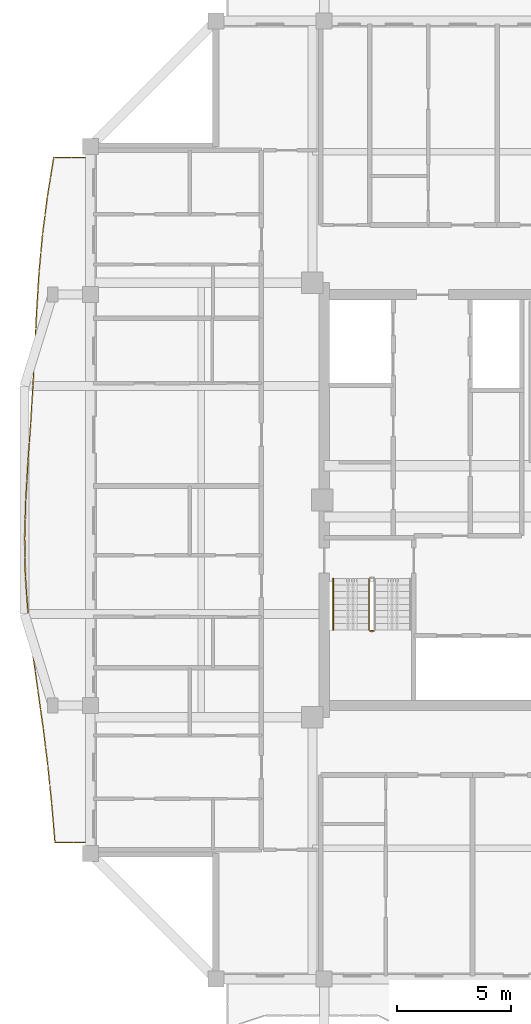
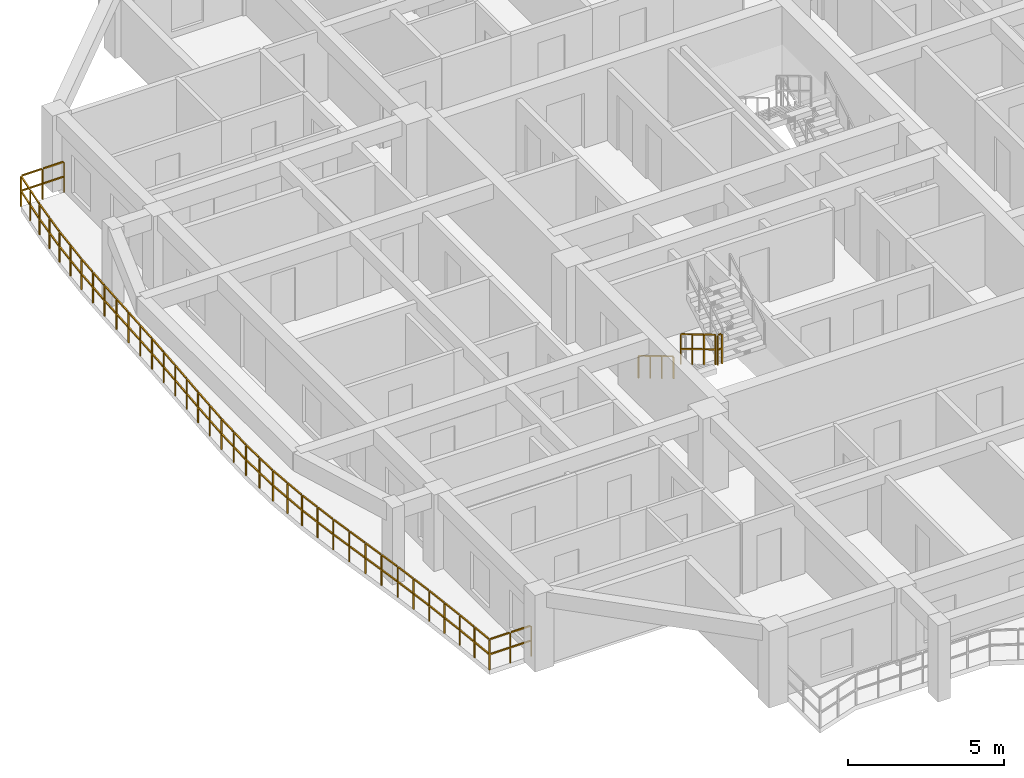
# One storey, part 11 of 14: 4 railings.
"""IFC4 building model written with IfcOpenShell, lengths in metres."""

import ifcopenshell
import ifcopenshell.guid

model = None  # the IFC model being written
_history = None  # IfcOwnerHistory: only IFC2X3 demands one
_inside = {}  # id of a spatial element -> (the spatial element, [elements in it])
_under = {}  # id of a project, library or spatial element -> (it, [spatial elements below it])
_declared = {}  # id of a project -> (the project, [libraries it declares])
_typed = {}  # id of a type object -> (the type object, [elements of that type])
_made_of = {}  # id of a material, layer set ... -> (it, [elements and type objects made of it])


def new_model(schema):
    """Start an empty IFC model of exactly this schema.

    Asked for "IFC4X3", IfcOpenShell would pick the latest addendum, in which some entities
    have other attributes; the version numbers below select the first issue.
    IFC2X3 requires an IfcOwnerHistory on every rooted entity: one is made here for all.
    """
    global model, _history
    if schema == "IFC4X3":
        model = ifcopenshell.file(schema_version=(4, 3, 0, 0))
    else:
        model = ifcopenshell.file(schema=schema)
    _inside.clear()
    _under.clear()
    _declared.clear()
    _typed.clear()
    _made_of.clear()
    _history = None
    if model.schema == "IFC2X3":
        org = make("IfcOrganization", Name="unknown")
        user = make(
            "IfcPersonAndOrganization",
            ThePerson=make("IfcPerson", FamilyName="unknown"),
            TheOrganization=org,
        )
        app = make(
            "IfcApplication",
            ApplicationDeveloper=org,
            Version="unknown",
            ApplicationFullName="unknown",
            ApplicationIdentifier="unknown",
        )
        _history = make(
            "IfcOwnerHistory",
            OwningUser=user,
            OwningApplication=app,
            ChangeAction="ADDED",
            CreationDate=0,
        )
    return model


def make(cls, **values):
    """One entity of the class cls with the attributes given. An attribute that is None is left unset."""
    return model.create_entity(
        cls, **{name: value for name, value in values.items() if value is not None}
    )


def rooted(cls, **values):
    """An entity with a GlobalId (a new one), such as an element, a storey or a relation."""
    return make(cls, GlobalId=ifcopenshell.guid.new(), OwnerHistory=_history, **values)


def si_unit(unit_type, name, prefix=None):
    """IfcSIUnit, for example si_unit("LENGTHUNIT", "METRE", prefix="MILLI")."""
    return make("IfcSIUnit", UnitType=unit_type, Prefix=prefix, Name=name)


def assignment(units):
    """IfcUnitAssignment: the units of a project."""
    return None if units is None else make("IfcUnitAssignment", Units=units)


def point(xyz):
    """IfcCartesianPoint."""
    return None if xyz is None else make("IfcCartesianPoint", Coordinates=xyz)


def direction(xyz):
    """IfcDirection."""
    return None if xyz is None else make("IfcDirection", DirectionRatios=xyz)


def frame(location, z_axis=None, x_axis=None):
    """IfcAxis2Placement3D, a coordinate frame: its origin and axes. An axis left out is left unset."""
    return make(
        "IfcAxis2Placement3D",
        Location=point(location),
        Axis=direction(z_axis),
        RefDirection=direction(x_axis),
    )


def frame_2d(location, x_axis=None):
    """IfcAxis2Placement2D, a coordinate frame in the plane: its origin and x axis."""
    return make(
        "IfcAxis2Placement2D", Location=point(location), RefDirection=direction(x_axis)
    )


def origin():
    """The frame at (0, 0, 0) with its axes left unset."""
    return frame((0.0, 0.0, 0.0))


def origin_2d():
    """The frame at (0, 0) in the plane with its x axis left unset."""
    return frame_2d((0.0, 0.0))


def place(relative_to, where):
    """IfcLocalPlacement: puts the frame where relative to a parent placement (None: the world)."""
    return make(
        "IfcLocalPlacement", PlacementRelTo=relative_to, RelativePlacement=where
    )


def context(
    kind, dimensions, precision=None, world=None, true_north=None, identifier=None
):
    """IfcGeometricRepresentationContext, for example the 3D "Model" context."""
    return make(
        "IfcGeometricRepresentationContext",
        ContextIdentifier=identifier,
        ContextType=kind,
        CoordinateSpaceDimension=dimensions,
        Precision=precision,
        WorldCoordinateSystem=world,
        TrueNorth=true_north,
    )


def subcontext(parent, identifier, kind, view, scale=None):
    """IfcGeometricRepresentationSubContext, for example "Body" below "Model"."""
    return make(
        "IfcGeometricRepresentationSubContext",
        ContextIdentifier=identifier,
        ContextType=kind,
        ParentContext=parent,
        TargetScale=scale,
        TargetView=view,
    )


def project(units=None, contexts=None):
    """IfcProject with its units and contexts."""
    return rooted(
        "IfcProject",
        Name="project",
        RepresentationContexts=contexts,
        UnitsInContext=assignment(units),
    )


def spatial(cls, under=None, at=None, **own):
    """A site, building, storey or space (cls), placed at a placement, below another one or the project."""
    s = rooted(cls, ObjectPlacement=at, **own)
    if under is not None:
        _under.setdefault(under.id(), (under, []))[1].append(s)
    return s


def profile(cls, at=None, kind="AREA", **sizes):
    """A parametric profile (cls). Its sizes go by their IFC names, for example OverallWidth=200.0."""
    return make(cls, ProfileType=kind, Position=at, **sizes)


def rectangle(**sizes):
    """IfcRectangleProfileDef."""
    return profile("IfcRectangleProfileDef", **sizes)


def extrude(swept, where, along, depth):
    """IfcExtrudedAreaSolid: the profile swept, set in the frame where, extruded along a direction by depth."""
    return make(
        "IfcExtrudedAreaSolid",
        SweptArea=swept,
        Position=where,
        ExtrudedDirection=direction(along),
        Depth=depth,
    )


def shape(context_of_items, identifier, shape_type, items):
    """IfcShapeRepresentation: the items that make up one representation, for example the "Body"."""
    return make(
        "IfcShapeRepresentation",
        ContextOfItems=context_of_items,
        RepresentationIdentifier=identifier,
        RepresentationType=shape_type,
        Items=items,
    )


def material(Name=None, Category=None):
    """IfcMaterial."""
    return make("IfcMaterial", Name=Name, Category=Category)


def made_of(thing, what):
    """Note that an element or type object is made of a material, layer set ...; save() writes the relation."""
    if what is not None:
        _made_of.setdefault(what.id(), (what, []))[1].append(thing)
    return thing


def type_object(cls, material=None, **own):
    """A type object (cls), such as IfcWallType, which elements share."""
    return made_of(rooted(cls, **own), material)


def element(
    cls,
    number,
    at=None,
    inside=None,
    cuts=None,
    type_object=None,
    material=None,
    context=None,
    identifier="Body",
    shape_type=None,
    held_by="IfcProductDefinitionShape",
    body=None,
    shapes=None,
    **own,
):
    """One element of the class cls, such as IfcWall. Its Tag is "e" and its number.

    at: its placement. inside: the storey or other place that contains it. cuts: it is an
    opening in that element (IfcRelVoidsElement). A single representation is given by context,
    identifier, shape_type and body (its items); several are given by shapes. held_by: the class
    of the entity that holds the representations. save() writes the other relations.
    """
    e = rooted(cls, Tag="e%d" % number, ObjectPlacement=at, **own)
    if body is not None:
        shapes = [shape(context, identifier, shape_type, body)]
    if shapes is not None:
        e.Representation = make(held_by, Representations=shapes)
    if inside is not None:
        _inside.setdefault(inside.id(), (inside, []))[1].append(e)
    if cuts is not None:
        rooted(
            "IfcRelVoidsElement", RelatingBuildingElement=cuts, RelatedOpeningElement=e
        )
    if type_object is not None:
        _typed.setdefault(type_object.id(), (type_object, []))[1].append(e)
    return made_of(e, material)


def aggregate(whole, parts):
    """IfcRelAggregates: a whole, such as a stair, and the parts it consists of."""
    return rooted("IfcRelAggregates", RelatingObject=whole, RelatedObjects=parts)


def save(model, path):
    """Write the relations noted so far, then the file.

    IfcRelAggregates (storeys below a building ...), IfcRelContainedInSpatialStructure (elements
    in a storey), IfcRelDefinesByType, IfcRelAssociatesMaterial and IfcRelDeclares: one each for
    every whole, place, type object, material and project.
    """
    for whole, parts in _under.values():
        aggregate(whole, parts)
    for where, things in _inside.values():
        rooted(
            "IfcRelContainedInSpatialStructure",
            RelatedElements=things,
            RelatingStructure=where,
        )
    for kind, things in _typed.values():
        rooted("IfcRelDefinesByType", RelatedObjects=things, RelatingType=kind)
    for what, things in _made_of.values():
        rooted("IfcRelAssociatesMaterial", RelatedObjects=things, RelatingMaterial=what)
    for by, libraries in _declared.values():
        rooted("IfcRelDeclares", RelatingContext=by, RelatedDefinitions=libraries)
    model.write(path)


model = new_model("IFC4")

# Units and contexts
model_context = context("Model", 3, precision=1e-05, world=origin(), true_north=direction((0.0, 1.0)))
body_context = subcontext(model_context, "Body", "Model", "MODEL_VIEW")
ifc_project = project(units=[si_unit("LENGTHUNIT", "METRE"), si_unit("AREAUNIT", "SQUARE_METRE"), si_unit("VOLUMEUNIT", "CUBIC_METRE"), si_unit("PLANEANGLEUNIT", "RADIAN"), si_unit("MASSUNIT", "GRAM", prefix="KILO")], contexts=[model_context])

# Site, building, storey
site_placement = place(None, origin())
site = spatial("IfcSite", under=ifc_project, at=site_placement, CompositionType="ELEMENT")
building_placement = place(site_placement, origin())
building = spatial("IfcBuilding", under=site, at=building_placement, Name="Saelheon Loggia Tower", CompositionType="ELEMENT")
storey_placement = place(building_placement, frame((0.0, 0.0, 233.10009765625)))
storey = spatial("IfcBuildingStorey", under=building, at=storey_placement, Name="L72", CompositionType="ELEMENT", Elevation=233.10009765625)

# Railings
ifc_material_1 = material(Name="Architectural Precast Concrete and Laminated Glass Guard", Category="concrete")
railing_type_1 = type_object("IfcRailingType", Name="Guard_Loggia_RL_LOG", PredefinedType="BALUSTRADE", material=ifc_material_1)
railing_1_placement = place(storey_placement, frame((21.25, 42.0, 0.0)))
element("IfcRailing", 1, at=railing_1_placement, inside=storey, type_object=railing_type_1, Name="L72 West Loggia Balustrade", PredefinedType="BALUSTRADE", context=body_context, shape_type="SweptSolid", body=[
    extrude(rectangle(XDim=0.048095703125, YDim=0.048095703125, at=origin_2d()), frame((-0.033203125, 0.0, 1.19580078125), z_axis=(-1.0, 0.0, 0.0), x_axis=(0.0, -1.0, 0.0)), (0.0, 0.0, 1.0), 0.736328125),
    extrude(rectangle(XDim=0.048095703125, YDim=0.048095703125, at=origin_2d()), frame((-0.033203125, 0.0, 0.60986328125), z_axis=(-1.0, 0.0, 0.0), x_axis=(0.0, -1.0, 0.0)), (0.0, 0.0, 1.0), 0.736328125),
    extrude(rectangle(XDim=0.048095703125, YDim=0.048095703125, at=origin_2d()), frame((-0.836181640625, 0.0, 1.19580078125), z_axis=(-1.0, 0.0, 0.0), x_axis=(0.0, -1.0, 0.0)), (0.0, 0.0, 1.0), 0.736328125),
    extrude(rectangle(XDim=0.048095703125, YDim=0.048095703125, at=origin_2d()), frame((-0.836181640625, 0.0, 0.60986328125), z_axis=(-1.0, 0.0, 0.0), x_axis=(0.0, -1.0, 0.0)), (0.0, 0.0, 1.0), 0.736328125),
    extrude(rectangle(XDim=0.048095703125, YDim=0.048095703125, at=origin_2d()), frame((-1.611083984375, -0.03271484375, 1.19580078125), z_axis=(-0.160482344979, -0.987038710968, 0.0), x_axis=(0.987038710968, -0.160482344979, 0.0)), (0.0, 0.0, 1.0), 0.77783203125),
    extrude(rectangle(XDim=0.048095703125, YDim=0.048095703125, at=origin_2d()), frame((-1.611083984375, -0.03271484375, 0.60986328125), z_axis=(-0.160482344979, -0.987038710968, 0.0), x_axis=(0.987038710968, -0.160482344979, 0.0)), (0.0, 0.0, 1.0), 0.77783203125),
    extrude(rectangle(XDim=0.048095703125, YDim=0.048095703125, at=origin_2d()), frame((-1.74658203125, -0.8662109375, 1.19580078125), z_axis=(-0.160482344979, -0.987038710968, 0.0), x_axis=(0.987038710968, -0.160482344979, 0.0)), (0.0, 0.0, 1.0), 0.77783203125),
    extrude(rectangle(XDim=0.048095703125, YDim=0.048095703125, at=origin_2d()), frame((-1.74658203125, -0.8662109375, 0.60986328125), z_axis=(-0.160482344979, -0.987038710968, 0.0), x_axis=(0.987038710968, -0.160482344979, 0.0)), (0.0, 0.0, 1.0), 0.77783203125),
    extrude(rectangle(XDim=0.048095703125, YDim=0.048095703125, at=origin_2d()), frame((-1.881103515625, -1.69970703125, 1.19580078125), z_axis=(-0.129003803074, -0.991644098854, 0.0), x_axis=(0.991644098854, -0.129003803074, 0.0)), (0.0, 0.0, 1.0), 0.77392578125),
    extrude(rectangle(XDim=0.048095703125, YDim=0.048095703125, at=origin_2d()), frame((-1.881103515625, -1.69970703125, 0.60986328125), z_axis=(-0.129003803074, -0.991644098854, 0.0), x_axis=(0.991644098854, -0.129003803074, 0.0)), (0.0, 0.0, 1.0), 0.77392578125),
    extrude(rectangle(XDim=0.048095703125, YDim=0.048095703125, at=origin_2d()), frame((-1.989501953125, -2.532958984375, 1.19580078125), z_axis=(-0.129003803074, -0.991644098854, 0.0), x_axis=(0.991644098854, -0.129003803074, 0.0)), (0.0, 0.0, 1.0), 0.77392578125),
    extrude(rectangle(XDim=0.048095703125, YDim=0.048095703125, at=origin_2d()), frame((-1.989501953125, -2.532958984375, 0.60986328125), z_axis=(-0.129003803074, -0.991644098854, 0.0), x_axis=(0.991644098854, -0.129003803074, 0.0)), (0.0, 0.0, 1.0), 0.77392578125),
    extrude(rectangle(XDim=0.048095703125, YDim=0.048095703125, at=origin_2d()), frame((-2.096435546875, -3.366455078125, 1.19580078125), z_axis=(-0.091745595338, -0.995782479127, 0.0), x_axis=(0.995782479127, -0.091745595338, 0.0)), (0.0, 0.0, 1.0), 0.7705078125),
    extrude(rectangle(XDim=0.048095703125, YDim=0.048095703125, at=origin_2d()), frame((-2.096435546875, -3.366455078125, 0.60986328125), z_axis=(-0.091745595338, -0.995782479127, 0.0), x_axis=(0.995782479127, -0.091745595338, 0.0)), (0.0, 0.0, 1.0), 0.7705078125),
    extrude(rectangle(XDim=0.048095703125, YDim=0.048095703125, at=origin_2d()), frame((-2.17333984375, -4.19970703125, 1.19580078125), z_axis=(-0.091745595338, -0.995782479127, 0.0), x_axis=(0.995782479127, -0.091745595338, 0.0)), (0.0, 0.0, 1.0), 0.7705078125),
    extrude(rectangle(XDim=0.048095703125, YDim=0.048095703125, at=origin_2d()), frame((-2.17333984375, -4.19970703125, 0.60986328125), z_axis=(-0.091745595338, -0.995782479127, 0.0), x_axis=(0.995782479127, -0.091745595338, 0.0)), (0.0, 0.0, 1.0), 0.7705078125),
    extrude(rectangle(XDim=0.048095703125, YDim=0.048095703125, at=origin_2d()), frame((-2.2490234375, -5.033203125, 1.19580078125), z_axis=(-0.061841273856, -0.99808599672, 0.0), x_axis=(0.99808599672, -0.061841273856, 0.0)), (0.0, 0.0, 1.0), 0.7685546875),
    extrude(rectangle(XDim=0.048095703125, YDim=0.048095703125, at=origin_2d()), frame((-2.2490234375, -5.033203125, 0.60986328125), z_axis=(-0.061841273856, -0.99808599672, 0.0), x_axis=(0.99808599672, -0.061841273856, 0.0)), (0.0, 0.0, 1.0), 0.7685546875),
    extrude(rectangle(XDim=0.048095703125, YDim=0.048095703125, at=origin_2d()), frame((-2.30078125, -5.866455078125, 1.19580078125), z_axis=(-0.061841273856, -0.99808599672, 0.0), x_axis=(0.99808599672, -0.061841273856, 0.0)), (0.0, 0.0, 1.0), 0.7685546875),
    extrude(rectangle(XDim=0.048095703125, YDim=0.048095703125, at=origin_2d()), frame((-2.30078125, -5.866455078125, 0.60986328125), z_axis=(-0.061841273856, -0.99808599672, 0.0), x_axis=(0.99808599672, -0.061841273856, 0.0)), (0.0, 0.0, 1.0), 0.7685546875),
    extrude(rectangle(XDim=0.048095703125, YDim=0.048095703125, at=origin_2d()), frame((-2.35205078125, -6.699951171875, 1.19580078125), z_axis=(-0.047996189008, -0.998847518814, 0.0), x_axis=(0.998847518814, -0.047996189008, 0.0)), (0.0, 0.0, 1.0), 0.767822265625),
    extrude(rectangle(XDim=0.048095703125, YDim=0.048095703125, at=origin_2d()), frame((-2.35205078125, -6.699951171875, 0.60986328125), z_axis=(-0.047996189008, -0.998847518814, 0.0), x_axis=(0.998847518814, -0.047996189008, 0.0)), (0.0, 0.0, 1.0), 0.767822265625),
    extrude(rectangle(XDim=0.048095703125, YDim=0.048095703125, at=origin_2d()), frame((-2.39208984375, -7.533203125, 1.19580078125), z_axis=(-0.047996189008, -0.998847518814, 0.0), x_axis=(0.998847518814, -0.047996189008, 0.0)), (0.0, 0.0, 1.0), 0.767822265625),
    extrude(rectangle(XDim=0.048095703125, YDim=0.048095703125, at=origin_2d()), frame((-2.39208984375, -7.533203125, 0.60986328125), z_axis=(-0.047996189008, -0.998847518814, 0.0), x_axis=(0.998847518814, -0.047996189008, 0.0)), (0.0, 0.0, 1.0), 0.767822265625),
    extrude(rectangle(XDim=0.048095703125, YDim=0.048095703125, at=origin_2d()), frame((-2.43212890625, -8.366455078125, 1.19580078125), z_axis=(-0.050616155059, -0.998718180893, 0.0), x_axis=(0.998718180893, -0.050616155059, 0.0)), (0.0, 0.0, 1.0), 0.76806640625),
    extrude(rectangle(XDim=0.048095703125, YDim=0.048095703125, at=origin_2d()), frame((-2.43212890625, -8.366455078125, 0.60986328125), z_axis=(-0.050616155059, -0.998718180893, 0.0), x_axis=(0.998718180893, -0.050616155059, 0.0)), (0.0, 0.0, 1.0), 0.76806640625),
    extrude(rectangle(XDim=0.048095703125, YDim=0.048095703125, at=origin_2d()), frame((-2.474365234375, -9.19970703125, 1.19580078125), z_axis=(-0.050616155059, -0.998718180893, 0.0), x_axis=(0.998718180893, -0.050616155059, 0.0)), (0.0, 0.0, 1.0), 0.76806640625),
    extrude(rectangle(XDim=0.048095703125, YDim=0.048095703125, at=origin_2d()), frame((-2.474365234375, -9.19970703125, 0.60986328125), z_axis=(-0.050616155059, -0.998718180893, 0.0), x_axis=(0.998718180893, -0.050616155059, 0.0)), (0.0, 0.0, 1.0), 0.76806640625),
    extrude(rectangle(XDim=0.048095703125, YDim=0.048095703125, at=origin_2d()), frame((-2.516845703125, -10.033203125, 1.19580078125), z_axis=(-0.061549990452, -0.998104001933, 0.0), x_axis=(0.998104001933, -0.061549990452, 0.0)), (0.0, 0.0, 1.0), 0.7685546875),
    extrude(rectangle(XDim=0.048095703125, YDim=0.048095703125, at=origin_2d()), frame((-2.516845703125, -10.033203125, 0.60986328125), z_axis=(-0.061549990452, -0.998104001933, 0.0), x_axis=(0.998104001933, -0.061549990452, 0.0)), (0.0, 0.0, 1.0), 0.7685546875),
    extrude(rectangle(XDim=0.048095703125, YDim=0.048095703125, at=origin_2d()), frame((-2.568359375, -10.866455078125, 1.19580078125), z_axis=(-0.061549990452, -0.998104001933, 0.0), x_axis=(0.998104001933, -0.061549990452, 0.0)), (0.0, 0.0, 1.0), 0.7685546875),
    extrude(rectangle(XDim=0.048095703125, YDim=0.048095703125, at=origin_2d()), frame((-2.568359375, -10.866455078125, 0.60986328125), z_axis=(-0.061549990452, -0.998104001933, 0.0), x_axis=(0.998104001933, -0.061549990452, 0.0)), (0.0, 0.0, 1.0), 0.7685546875),
    extrude(rectangle(XDim=0.048095703125, YDim=0.048095703125, at=origin_2d()), frame((-2.619873046875, -11.699951171875, 1.19580078125), z_axis=(-0.067818885019, -0.997697649007, 0.0), x_axis=(0.997697649007, -0.067818885019, 0.0)), (0.0, 0.0, 1.0), 0.768798828125),
    extrude(rectangle(XDim=0.048095703125, YDim=0.048095703125, at=origin_2d()), frame((-2.619873046875, -11.699951171875, 0.60986328125), z_axis=(-0.067818885019, -0.997697649007, 0.0), x_axis=(0.997697649007, -0.067818885019, 0.0)), (0.0, 0.0, 1.0), 0.768798828125),
    extrude(rectangle(XDim=0.048095703125, YDim=0.048095703125, at=origin_2d()), frame((-2.676513671875, -12.533203125, 1.19580078125), z_axis=(-0.067818885019, -0.997697649007, 0.0), x_axis=(0.997697649007, -0.067818885019, 0.0)), (0.0, 0.0, 1.0), 0.768798828125),
    extrude(rectangle(XDim=0.048095703125, YDim=0.048095703125, at=origin_2d()), frame((-2.676513671875, -12.533203125, 0.60986328125), z_axis=(-0.067818885019, -0.997697649007, 0.0), x_axis=(0.997697649007, -0.067818885019, 0.0)), (0.0, 0.0, 1.0), 0.768798828125),
    extrude(rectangle(XDim=0.048095703125, YDim=0.048095703125, at=origin_2d()), frame((-2.73291015625, -13.366455078125, 1.19580078125), z_axis=(-0.058490579202, -0.998287960533, 0.0), x_axis=(0.998287960533, -0.058490579202, 0.0)), (0.0, 0.0, 1.0), 0.768310546875),
    extrude(rectangle(XDim=0.048095703125, YDim=0.048095703125, at=origin_2d()), frame((-2.73291015625, -13.366455078125, 0.60986328125), z_axis=(-0.058490579202, -0.998287960533, 0.0), x_axis=(0.998287960533, -0.058490579202, 0.0)), (0.0, 0.0, 1.0), 0.768310546875),
    extrude(rectangle(XDim=0.048095703125, YDim=0.048095703125, at=origin_2d()), frame((-2.78173828125, -14.19970703125, 1.19580078125), z_axis=(-0.058490579202, -0.998287960533, 0.0), x_axis=(0.998287960533, -0.058490579202, 0.0)), (0.0, 0.0, 1.0), 0.768310546875),
    extrude(rectangle(XDim=0.048095703125, YDim=0.048095703125, at=origin_2d()), frame((-2.78173828125, -14.19970703125, 0.60986328125), z_axis=(-0.058490579202, -0.998287960533, 0.0), x_axis=(0.998287960533, -0.058490579202, 0.0)), (0.0, 0.0, 1.0), 0.768310546875),
    extrude(rectangle(XDim=0.048095703125, YDim=0.048095703125, at=origin_2d()), frame((-2.82958984375, -15.033203125, 1.19580078125), z_axis=(-0.028405114941, -0.999596493314, 0.0), x_axis=(0.999596493314, -0.028405114941, 0.0)), (0.0, 0.0, 1.0), 0.767333984375),
    extrude(rectangle(XDim=0.048095703125, YDim=0.048095703125, at=origin_2d()), frame((-2.82958984375, -15.033203125, 0.60986328125), z_axis=(-0.028405114941, -0.999596493314, 0.0), x_axis=(0.999596493314, -0.028405114941, 0.0)), (0.0, 0.0, 1.0), 0.767333984375),
    extrude(rectangle(XDim=0.048095703125, YDim=0.048095703125, at=origin_2d()), frame((-2.853271484375, -15.86669921875, 1.19580078125), z_axis=(-0.028405114941, -0.999596493314, 0.0), x_axis=(0.999596493314, -0.028405114941, 0.0)), (0.0, 0.0, 1.0), 0.767333984375),
    extrude(rectangle(XDim=0.048095703125, YDim=0.048095703125, at=origin_2d()), frame((-2.853271484375, -15.86669921875, 0.60986328125), z_axis=(-0.028405114941, -0.999596493314, 0.0), x_axis=(0.999596493314, -0.028405114941, 0.0)), (0.0, 0.0, 1.0), 0.767333984375),
    extrude(rectangle(XDim=0.048095703125, YDim=0.048095703125, at=origin_2d()), frame((-2.875244140625, -16.699951171875, 1.19580078125), z_axis=(0.018894956079, -0.999821474382, 0.0), x_axis=(0.999821474382, 0.018894956079, 0.0)), (0.0, 0.0, 1.0), 0.766845703125),
    extrude(rectangle(XDim=0.048095703125, YDim=0.048095703125, at=origin_2d()), frame((-2.875244140625, -16.699951171875, 0.60986328125), z_axis=(0.018894956079, -0.999821474382, 0.0), x_axis=(0.999821474382, 0.018894956079, 0.0)), (0.0, 0.0, 1.0), 0.766845703125),
    extrude(rectangle(XDim=0.048095703125, YDim=0.048095703125, at=origin_2d()), frame((-2.859619140625, -17.533203125, 1.19580078125), z_axis=(0.018894956079, -0.999821474382, 0.0), x_axis=(0.999821474382, 0.018894956079, 0.0)), (0.0, 0.0, 1.0), 0.766845703125),
    extrude(rectangle(XDim=0.048095703125, YDim=0.048095703125, at=origin_2d()), frame((-2.859619140625, -17.533203125, 0.60986328125), z_axis=(0.018894956079, -0.999821474382, 0.0), x_axis=(0.999821474382, 0.018894956079, 0.0)), (0.0, 0.0, 1.0), 0.766845703125),
    extrude(rectangle(XDim=0.048095703125, YDim=0.048095703125, at=origin_2d()), frame((-2.842041015625, -18.366455078125, 1.19580078125), z_axis=(0.071153601195, -0.997465370345, 0.0), x_axis=(0.997465370345, 0.071153601195, 0.0)), (0.0, 0.0, 1.0), 0.76904296875),
    extrude(rectangle(XDim=0.048095703125, YDim=0.048095703125, at=origin_2d()), frame((-2.842041015625, -18.366455078125, 0.60986328125), z_axis=(0.071153601195, -0.997465370345, 0.0), x_axis=(0.997465370345, 0.071153601195, 0.0)), (0.0, 0.0, 1.0), 0.76904296875),
    extrude(rectangle(XDim=0.048095703125, YDim=0.048095703125, at=origin_2d()), frame((-2.78271484375, -19.19970703125, 1.19580078125), z_axis=(0.071153601195, -0.997465370345, 0.0), x_axis=(0.997465370345, 0.071153601195, 0.0)), (0.0, 0.0, 1.0), 0.76904296875),
    extrude(rectangle(XDim=0.048095703125, YDim=0.048095703125, at=origin_2d()), frame((-2.78271484375, -19.19970703125, 0.60986328125), z_axis=(0.071153601195, -0.997465370345, 0.0), x_axis=(0.997465370345, 0.071153601195, 0.0)), (0.0, 0.0, 1.0), 0.76904296875),
    extrude(rectangle(XDim=0.048095703125, YDim=0.048095703125, at=origin_2d()), frame((-2.7216796875, -20.032958984375, 1.19580078125), z_axis=(0.114662769249, -0.993404474194, 0.0), x_axis=(0.993404474194, 0.114662769249, 0.0)), (0.0, 0.0, 1.0), 0.7724609375),
    extrude(rectangle(XDim=0.048095703125, YDim=0.048095703125, at=origin_2d()), frame((-2.7216796875, -20.032958984375, 0.60986328125), z_axis=(0.114662769249, -0.993404474194, 0.0), x_axis=(0.993404474194, 0.114662769249, 0.0)), (0.0, 0.0, 1.0), 0.7724609375),
    extrude(rectangle(XDim=0.048095703125, YDim=0.048095703125, at=origin_2d()), frame((-2.62548828125, -20.866455078125, 1.19580078125), z_axis=(0.114662769249, -0.993404474194, 0.0), x_axis=(0.993404474194, 0.114662769249, 0.0)), (0.0, 0.0, 1.0), 0.7724609375),
    extrude(rectangle(XDim=0.048095703125, YDim=0.048095703125, at=origin_2d()), frame((-2.62548828125, -20.866455078125, 0.60986328125), z_axis=(0.114662769249, -0.993404474194, 0.0), x_axis=(0.993404474194, 0.114662769249, 0.0)), (0.0, 0.0, 1.0), 0.7724609375),
    extrude(rectangle(XDim=0.048095703125, YDim=0.048095703125, at=origin_2d()), frame((-2.528564453125, -21.69970703125, 1.19580078125), z_axis=(0.13827215641, -0.99039427036, 0.0), x_axis=(0.99039427036, 0.13827215641, 0.0)), (0.0, 0.0, 1.0), 0.77490234375),
    extrude(rectangle(XDim=0.048095703125, YDim=0.048095703125, at=origin_2d()), frame((-2.528564453125, -21.69970703125, 0.60986328125), z_axis=(0.13827215641, -0.99039427036, 0.0), x_axis=(0.99039427036, 0.13827215641, 0.0)), (0.0, 0.0, 1.0), 0.77490234375),
    extrude(rectangle(XDim=0.048095703125, YDim=0.048095703125, at=origin_2d()), frame((-2.412353515625, -22.532958984375, 1.19580078125), z_axis=(0.13827215641, -0.99039427036, 0.0), x_axis=(0.99039427036, 0.13827215641, 0.0)), (0.0, 0.0, 1.0), 0.77490234375),
    extrude(rectangle(XDim=0.048095703125, YDim=0.048095703125, at=origin_2d()), frame((-2.412353515625, -22.532958984375, 0.60986328125), z_axis=(0.13827215641, -0.99039427036, 0.0), x_axis=(0.99039427036, 0.13827215641, 0.0)), (0.0, 0.0, 1.0), 0.77490234375),
    extrude(rectangle(XDim=0.048095703125, YDim=0.048095703125, at=origin_2d()), frame((-2.2958984375, -23.3662109375, 1.19580078125), z_axis=(0.138963671511, -0.990297479548, 0.0), x_axis=(0.990297479548, 0.138963671511, 0.0)), (0.0, 0.0, 1.0), 0.775146484375),
    extrude(rectangle(XDim=0.048095703125, YDim=0.048095703125, at=origin_2d()), frame((-2.2958984375, -23.3662109375, 0.60986328125), z_axis=(0.138963671511, -0.990297479548, 0.0), x_axis=(0.990297479548, 0.138963671511, 0.0)), (0.0, 0.0, 1.0), 0.775146484375),
    extrude(rectangle(XDim=0.048095703125, YDim=0.048095703125, at=origin_2d()), frame((-2.178955078125, -24.199462890625, 1.19580078125), z_axis=(0.138963671511, -0.990297479548, 0.0), x_axis=(0.990297479548, 0.138963671511, 0.0)), (0.0, 0.0, 1.0), 0.775146484375),
    extrude(rectangle(XDim=0.048095703125, YDim=0.048095703125, at=origin_2d()), frame((-2.178955078125, -24.199462890625, 0.60986328125), z_axis=(0.138963671511, -0.990297479548, 0.0), x_axis=(0.990297479548, 0.138963671511, 0.0)), (0.0, 0.0, 1.0), 0.775146484375),
    extrude(rectangle(XDim=0.048095703125, YDim=0.048095703125, at=origin_2d()), frame((-2.0625, -25.032958984375, 1.19580078125), z_axis=(0.122692739227, -0.992444704626, 0.0), x_axis=(0.992444704626, 0.122692739227, 0.0)), (0.0, 0.0, 1.0), 0.773193359375),
    extrude(rectangle(XDim=0.048095703125, YDim=0.048095703125, at=origin_2d()), frame((-2.0625, -25.032958984375, 0.60986328125), z_axis=(0.122692739227, -0.992444704626, 0.0), x_axis=(0.992444704626, 0.122692739227, 0.0)), (0.0, 0.0, 1.0), 0.773193359375),
    extrude(rectangle(XDim=0.048095703125, YDim=0.048095703125, at=origin_2d()), frame((-1.95947265625, -25.866455078125, 1.19580078125), z_axis=(0.122692739227, -0.992444704626, 0.0), x_axis=(0.992444704626, 0.122692739227, 0.0)), (0.0, 0.0, 1.0), 0.773193359375),
    extrude(rectangle(XDim=0.048095703125, YDim=0.048095703125, at=origin_2d()), frame((-1.95947265625, -25.866455078125, 0.60986328125), z_axis=(0.122692739227, -0.992444704626, 0.0), x_axis=(0.992444704626, 0.122692739227, 0.0)), (0.0, 0.0, 1.0), 0.773193359375),
    extrude(rectangle(XDim=0.048095703125, YDim=0.048095703125, at=origin_2d()), frame((-1.857177734375, -26.69970703125, 1.19580078125), z_axis=(0.100427291476, -0.994944400018, 0.0), x_axis=(0.994944400018, 0.100427291476, 0.0)), (0.0, 0.0, 1.0), 0.77099609375),
    extrude(rectangle(XDim=0.048095703125, YDim=0.048095703125, at=origin_2d()), frame((-1.857177734375, -26.69970703125, 0.60986328125), z_axis=(0.100427291476, -0.994944400018, 0.0), x_axis=(0.994944400018, 0.100427291476, 0.0)), (0.0, 0.0, 1.0), 0.77099609375),
    extrude(rectangle(XDim=0.048095703125, YDim=0.048095703125, at=origin_2d()), frame((-1.773193359375, -27.532958984375, 1.19580078125), z_axis=(0.100427291476, -0.994944400018, 0.0), x_axis=(0.994944400018, 0.100427291476, 0.0)), (0.0, 0.0, 1.0), 0.77099609375),
    extrude(rectangle(XDim=0.048095703125, YDim=0.048095703125, at=origin_2d()), frame((-1.773193359375, -27.532958984375, 0.60986328125), z_axis=(0.100427291476, -0.994944400018, 0.0), x_axis=(0.994944400018, 0.100427291476, 0.0)), (0.0, 0.0, 1.0), 0.77099609375),
    extrude(rectangle(XDim=0.048095703125, YDim=0.048095703125, at=origin_2d()), frame((-1.689453125, -28.366455078125, 1.19580078125), z_axis=(0.085086537051, -0.996373565091, 0.0), x_axis=(0.996373565091, 0.085086537051, 0.0)), (0.0, 0.0, 1.0), 0.77001953125),
    extrude(rectangle(XDim=0.048095703125, YDim=0.048095703125, at=origin_2d()), frame((-1.689453125, -28.366455078125, 0.60986328125), z_axis=(0.085086537051, -0.996373565091, 0.0), x_axis=(0.996373565091, 0.085086537051, 0.0)), (0.0, 0.0, 1.0), 0.77001953125),
    extrude(rectangle(XDim=0.048095703125, YDim=0.048095703125, at=origin_2d()), frame((-1.618408203125, -29.19970703125, 1.19580078125), z_axis=(0.085086537051, -0.996373565091, 0.0), x_axis=(0.996373565091, 0.085086537051, 0.0)), (0.0, 0.0, 1.0), 0.77001953125),
    extrude(rectangle(XDim=0.048095703125, YDim=0.048095703125, at=origin_2d()), frame((-1.618408203125, -29.19970703125, 0.60986328125), z_axis=(0.085086537051, -0.996373565091, 0.0), x_axis=(0.996373565091, 0.085086537051, 0.0)), (0.0, 0.0, 1.0), 0.77001953125),
    extrude(rectangle(XDim=0.048095703125, YDim=0.048095703125, at=origin_2d()), frame((-1.516845703125, -30.0, 1.19580078125), z_axis=(1.0, 0.0, 0.0), x_axis=(0.0, 1.0, 0.0)), (0.0, 0.0, 1.0), 0.70849609375),
    extrude(rectangle(XDim=0.048095703125, YDim=0.048095703125, at=origin_2d()), frame((-1.516845703125, -30.0, 0.60986328125), z_axis=(1.0, 0.0, 0.0), x_axis=(0.0, 1.0, 0.0)), (0.0, 0.0, 1.0), 0.70849609375),
    extrude(rectangle(XDim=0.048095703125, YDim=0.048095703125, at=origin_2d()), frame((-0.74169921875, -30.0, 1.19580078125), z_axis=(1.0, 0.0, 0.0), x_axis=(0.0, 1.0, 0.0)), (0.0, 0.0, 1.0), 0.70849609375),
    extrude(rectangle(XDim=0.048095703125, YDim=0.048095703125, at=origin_2d()), frame((-0.74169921875, -30.0, 0.60986328125), z_axis=(1.0, 0.0, 0.0), x_axis=(0.0, 1.0, 0.0)), (0.0, 0.0, 1.0), 0.70849609375),
    extrude(rectangle(XDim=0.0419921875, YDim=0.0419921875, at=origin_2d()), origin(), (0.0, 0.0, 1.0), 1.16796875),
    extrude(rectangle(XDim=0.0419921875, YDim=0.0419921875, at=origin_2d()), frame((-0.802734375, 0.0, 0.0)), (0.0, 0.0, 1.0), 1.16796875),
    extrude(rectangle(XDim=0.0419921875, YDim=0.0419921875, at=origin_2d()), frame((-1.605712890625, 0.0, 0.0)), (0.0, 0.0, 1.0), 1.16796875),
    extrude(rectangle(XDim=0.0419921875, YDim=0.0419921875, at=origin_2d()), frame((-1.7412109375, -0.83349609375, 0.0)), (0.0, 0.0, 1.0), 1.16796875),
    extrude(rectangle(XDim=0.0419921875, YDim=0.0419921875, at=origin_2d()), frame((-1.876708984375, -1.666748046875, 0.0)), (0.0, 0.0, 1.0), 1.16796875),
    extrude(rectangle(XDim=0.0419921875, YDim=0.0419921875, at=origin_2d()), frame((-1.985107421875, -2.5, 0.0)), (0.0, 0.0, 1.0), 1.16796875),
    extrude(rectangle(XDim=0.0419921875, YDim=0.0419921875, at=origin_2d()), frame((-2.093505859375, -3.333251953125, 0.0)), (0.0, 0.0, 1.0), 1.16796875),
    extrude(rectangle(XDim=0.0419921875, YDim=0.0419921875, at=origin_2d()), frame((-2.17041015625, -4.16650390625, 0.0)), (0.0, 0.0, 1.0), 1.16796875),
    extrude(rectangle(XDim=0.0419921875, YDim=0.0419921875, at=origin_2d()), frame((-2.2470703125, -5.0, 0.0)), (0.0, 0.0, 1.0), 1.16796875),
    extrude(rectangle(XDim=0.0419921875, YDim=0.0419921875, at=origin_2d()), frame((-2.298828125, -5.83349609375, 0.0)), (0.0, 0.0, 1.0), 1.16796875),
    extrude(rectangle(XDim=0.0419921875, YDim=0.0419921875, at=origin_2d()), frame((-2.350341796875, -6.666748046875, 0.0)), (0.0, 0.0, 1.0), 1.16796875),
    extrude(rectangle(XDim=0.0419921875, YDim=0.0419921875, at=origin_2d()), frame((-2.390380859375, -7.5, 0.0)), (0.0, 0.0, 1.0), 1.16796875),
    extrude(rectangle(XDim=0.0419921875, YDim=0.0419921875, at=origin_2d()), frame((-2.430419921875, -8.333251953125, 0.0)), (0.0, 0.0, 1.0), 1.16796875),
    extrude(rectangle(XDim=0.0419921875, YDim=0.0419921875, at=origin_2d()), frame((-2.47265625, -9.16650390625, 0.0)), (0.0, 0.0, 1.0), 1.16796875),
    extrude(rectangle(XDim=0.0419921875, YDim=0.0419921875, at=origin_2d()), frame((-2.514892578125, -10.0, 0.0)), (0.0, 0.0, 1.0), 1.16796875),
    extrude(rectangle(XDim=0.0419921875, YDim=0.0419921875, at=origin_2d()), frame((-2.56640625, -10.83349609375, 0.0)), (0.0, 0.0, 1.0), 1.16796875),
    extrude(rectangle(XDim=0.0419921875, YDim=0.0419921875, at=origin_2d()), frame((-2.61767578125, -11.666748046875, 0.0)), (0.0, 0.0, 1.0), 1.16796875),
    extrude(rectangle(XDim=0.0419921875, YDim=0.0419921875, at=origin_2d()), frame((-2.67431640625, -12.5, 0.0)), (0.0, 0.0, 1.0), 1.16796875),
    extrude(rectangle(XDim=0.0419921875, YDim=0.0419921875, at=origin_2d()), frame((-2.73095703125, -13.333251953125, 0.0)), (0.0, 0.0, 1.0), 1.16796875),
    extrude(rectangle(XDim=0.0419921875, YDim=0.0419921875, at=origin_2d()), frame((-2.77978515625, -14.16650390625, 0.0)), (0.0, 0.0, 1.0), 1.16796875),
    extrude(rectangle(XDim=0.0419921875, YDim=0.0419921875, at=origin_2d()), frame((-2.82861328125, -15.0, 0.0)), (0.0, 0.0, 1.0), 1.16796875),
    extrude(rectangle(XDim=0.0419921875, YDim=0.0419921875, at=origin_2d()), frame((-2.852294921875, -15.83349609375, 0.0)), (0.0, 0.0, 1.0), 1.16796875),
    extrude(rectangle(XDim=0.0419921875, YDim=0.0419921875, at=origin_2d()), frame((-2.8759765625, -16.666748046875, 0.0)), (0.0, 0.0, 1.0), 1.16796875),
    extrude(rectangle(XDim=0.0419921875, YDim=0.0419921875, at=origin_2d()), frame((-2.8603515625, -17.5, 0.0)), (0.0, 0.0, 1.0), 1.16796875),
    extrude(rectangle(XDim=0.0419921875, YDim=0.0419921875, at=origin_2d()), frame((-2.844482421875, -18.333251953125, 0.0)), (0.0, 0.0, 1.0), 1.16796875),
    extrude(rectangle(XDim=0.0419921875, YDim=0.0419921875, at=origin_2d()), frame((-2.78515625, -19.16650390625, 0.0)), (0.0, 0.0, 1.0), 1.16796875),
    extrude(rectangle(XDim=0.0419921875, YDim=0.0419921875, at=origin_2d()), frame((-2.7255859375, -20.0, 0.0)), (0.0, 0.0, 1.0), 1.16796875),
    extrude(rectangle(XDim=0.0419921875, YDim=0.0419921875, at=origin_2d()), frame((-2.62939453125, -20.83349609375, 0.0)), (0.0, 0.0, 1.0), 1.16796875),
    extrude(rectangle(XDim=0.0419921875, YDim=0.0419921875, at=origin_2d()), frame((-2.533203125, -21.666748046875, 0.0)), (0.0, 0.0, 1.0), 1.16796875),
    extrude(rectangle(XDim=0.0419921875, YDim=0.0419921875, at=origin_2d()), frame((-2.4169921875, -22.5, 0.0)), (0.0, 0.0, 1.0), 1.16796875),
    extrude(rectangle(XDim=0.0419921875, YDim=0.0419921875, at=origin_2d()), frame((-2.300537109375, -23.333251953125, 0.0)), (0.0, 0.0, 1.0), 1.16796875),
    extrude(rectangle(XDim=0.0419921875, YDim=0.0419921875, at=origin_2d()), frame((-2.18359375, -24.16650390625, 0.0)), (0.0, 0.0, 1.0), 1.16796875),
    extrude(rectangle(XDim=0.0419921875, YDim=0.0419921875, at=origin_2d()), frame((-2.066650390625, -25.0, 0.0)), (0.0, 0.0, 1.0), 1.16796875),
    extrude(rectangle(XDim=0.0419921875, YDim=0.0419921875, at=origin_2d()), frame((-1.963623046875, -25.83349609375, 0.0)), (0.0, 0.0, 1.0), 1.16796875),
    extrude(rectangle(XDim=0.0419921875, YDim=0.0419921875, at=origin_2d()), frame((-1.860595703125, -26.666748046875, 0.0)), (0.0, 0.0, 1.0), 1.16796875),
    extrude(rectangle(XDim=0.0419921875, YDim=0.0419921875, at=origin_2d()), frame((-1.7763671875, -27.5, 0.0)), (0.0, 0.0, 1.0), 1.16796875),
    extrude(rectangle(XDim=0.0419921875, YDim=0.0419921875, at=origin_2d()), frame((-1.6923828125, -28.333251953125, 0.0)), (0.0, 0.0, 1.0), 1.16796875),
    extrude(rectangle(XDim=0.0419921875, YDim=0.0419921875, at=origin_2d()), frame((-1.62109375, -29.16650390625, 0.0)), (0.0, 0.0, 1.0), 1.16796875),
    extrude(rectangle(XDim=0.0419921875, YDim=0.0419921875, at=origin_2d()), frame((-1.550048828125, -30.0, 0.0)), (0.0, 0.0, 1.0), 1.16796875),
    extrude(rectangle(XDim=0.0419921875, YDim=0.0419921875, at=origin_2d()), frame((-0.77490234375, -30.0, 0.0)), (0.0, 0.0, 1.0), 1.16796875),
    extrude(rectangle(XDim=0.0419921875, YDim=0.0419921875, at=origin_2d()), frame((0.0, -30.0, 0.0)), (0.0, 0.0, 1.0), 1.16796875),
])
ifc_material_2 = material(Name="Galvanised Steel S275 Stairwell Guardrail", Category="steel")
railing_type_2 = type_object("IfcRailingType", Name="Guard_StairWell_RL_STG", PredefinedType="GUARDRAIL", material=ifc_material_2)
railing_2_placement = place(storey_placement, frame((33.4599609375, 23.550048828125, 0.16650390625)))
element("IfcRailing", 2, at=railing_2_placement, inside=storey, type_object=railing_type_2, Name="L72 ST1 stair guard 1", PredefinedType="GUARDRAIL", context=body_context, shape_type="SweptSolid", body=[
    extrude(rectangle(XDim=0.048095703125, YDim=0.048095703125, at=origin_2d()), frame((0.0, -0.028564453125, 1.19287109375), z_axis=(0.0, -0.859264461869, 0.511531606619), x_axis=(1.0, 0.0, 0.0)), (0.0, 0.0, 1.0), 0.802490234375),
    extrude(rectangle(XDim=0.048095703125, YDim=0.048095703125, at=origin_2d()), frame((0.0, -0.028564453125, 0.616943359375), z_axis=(0.0, -0.859264461869, 0.511531606619), x_axis=(1.0, 0.0, 0.0)), (0.0, 0.0, 1.0), 0.802490234375),
    extrude(rectangle(XDim=0.048095703125, YDim=0.048095703125, at=origin_2d()), frame((0.0, -0.775146484375, 1.637451171875), z_axis=(0.0, -0.859264461869, 0.511531606619), x_axis=(1.0, 0.0, 0.0)), (0.0, 0.0, 1.0), 0.802490234375),
    extrude(rectangle(XDim=0.048095703125, YDim=0.048095703125, at=origin_2d()), frame((0.0, -0.775146484375, 1.0615234375), z_axis=(0.0, -0.859264461869, 0.511531606619), x_axis=(1.0, 0.0, 0.0)), (0.0, 0.0, 1.0), 0.802490234375),
    extrude(rectangle(XDim=0.048095703125, YDim=0.048095703125, at=origin_2d()), frame((0.0, -1.52197265625, 2.081787109375), z_axis=(0.0, -0.859264461869, 0.511531606619), x_axis=(1.0, 0.0, 0.0)), (0.0, 0.0, 1.0), 0.802490234375),
    extrude(rectangle(XDim=0.048095703125, YDim=0.048095703125, at=origin_2d()), frame((0.0, -1.52197265625, 1.505859375), z_axis=(0.0, -0.859264461869, 0.511531606619), x_axis=(1.0, 0.0, 0.0)), (0.0, 0.0, 1.0), 0.802490234375),
    extrude(rectangle(XDim=0.0419921875, YDim=0.0419921875, at=origin_2d()), origin(), (0.0, 0.0, 1.0), 1.14794921875),
    extrude(rectangle(XDim=0.0419921875, YDim=0.0419921875, at=origin_2d()), frame((0.0, -0.74658203125, 0.444580078125)), (0.0, 0.0, 1.0), 1.14794921875),
    extrude(rectangle(XDim=0.0419921875, YDim=0.0419921875, at=origin_2d()), frame((0.0, -1.493408203125, 0.888916015625)), (0.0, 0.0, 1.0), 1.14794921875),
    extrude(rectangle(XDim=0.0419921875, YDim=0.0419921875, at=origin_2d()), frame((0.0, -2.239990234375, 1.33349609375)), (0.0, 0.0, 1.0), 1.14794921875),
])
railing_3_placement = place(storey_placement, frame((33.510009765625, 21.260009765625, 1.5)))
element("IfcRailing", 3, at=railing_3_placement, inside=storey, type_object=railing_type_2, Name="L72 ST1 stair guard 2", PredefinedType="GUARDRAIL", context=body_context, shape_type="SweptSolid", body=[
    extrude(rectangle(XDim=0.048095703125, YDim=0.048095703125, at=origin_2d()), frame((0.033203125, 0.0, 1.17578125), z_axis=(1.0, 0.0, 0.0), x_axis=(0.0, 1.0, 0.0)), (0.0, 0.0, 1.0), 0.093505859375),
    extrude(rectangle(XDim=0.048095703125, YDim=0.048095703125, at=origin_2d()), frame((0.033203125, 0.0, 0.60009765625), z_axis=(1.0, 0.0, 0.0), x_axis=(0.0, 1.0, 0.0)), (0.0, 0.0, 1.0), 0.093505859375),
    extrude(rectangle(XDim=0.0419921875, YDim=0.0419921875, at=origin_2d()), origin(), (0.0, 0.0, 1.0), 1.14794921875),
    extrude(rectangle(XDim=0.0419921875, YDim=0.0419921875, at=origin_2d()), frame((0.159912109375, 0.0, 0.0)), (0.0, 0.0, 1.0), 1.14794921875),
])
ifc_material_3 = material(Name="Stainless Steel 304 Tubular Handrail", Category="steel")
railing_type_3 = type_object("IfcRailingType", Name="Handrail_Stair_RL_HR1", PredefinedType="HANDRAIL", material=ifc_material_3)
railing_4_placement = place(storey_placement, frame((31.89990234375, 23.550048828125, 0.16650390625)))
element("IfcRailing", 4, at=railing_4_placement, inside=storey, type_object=railing_type_3, Name="L72 ST1 stair handrail 1", PredefinedType="HANDRAIL", context=body_context, shape_type="SweptSolid", body=[
    extrude(rectangle(XDim=0.048095703125, YDim=0.048095703125, at=origin_2d()), frame((0.0, -0.028564453125, 0.892822265625), z_axis=(0.0, -0.859264461869, 0.511531606619), x_axis=(1.0, 0.0, 0.0)), (0.0, 0.0, 1.0), 0.802490234375),
    extrude(rectangle(XDim=0.048095703125, YDim=0.048095703125, at=origin_2d()), frame((0.0, -0.775146484375, 1.33740234375), z_axis=(0.0, -0.859264461869, 0.511531606619), x_axis=(1.0, 0.0, 0.0)), (0.0, 0.0, 1.0), 0.802490234375),
    extrude(rectangle(XDim=0.048095703125, YDim=0.048095703125, at=origin_2d()), frame((0.0, -1.52197265625, 1.78173828125), z_axis=(0.0, -0.859264461869, 0.511531606619), x_axis=(1.0, 0.0, 0.0)), (0.0, 0.0, 1.0), 0.802490234375),
    extrude(rectangle(XDim=0.0419921875, YDim=0.0419921875, at=origin_2d()), origin(), (0.0, 0.0, 1.0), 0.847900390625),
    extrude(rectangle(XDim=0.0419921875, YDim=0.0419921875, at=origin_2d()), frame((0.0, -0.74658203125, 0.444580078125)), (0.0, 0.0, 1.0), 0.847900390625),
    extrude(rectangle(XDim=0.0419921875, YDim=0.0419921875, at=origin_2d()), frame((0.0, -1.493408203125, 0.888916015625)), (0.0, 0.0, 1.0), 0.847900390625),
    extrude(rectangle(XDim=0.0419921875, YDim=0.0419921875, at=origin_2d()), frame((0.0, -2.239990234375, 1.33349609375)), (0.0, 0.0, 1.0), 0.847900390625),
])

save(model, "model.ifc")
